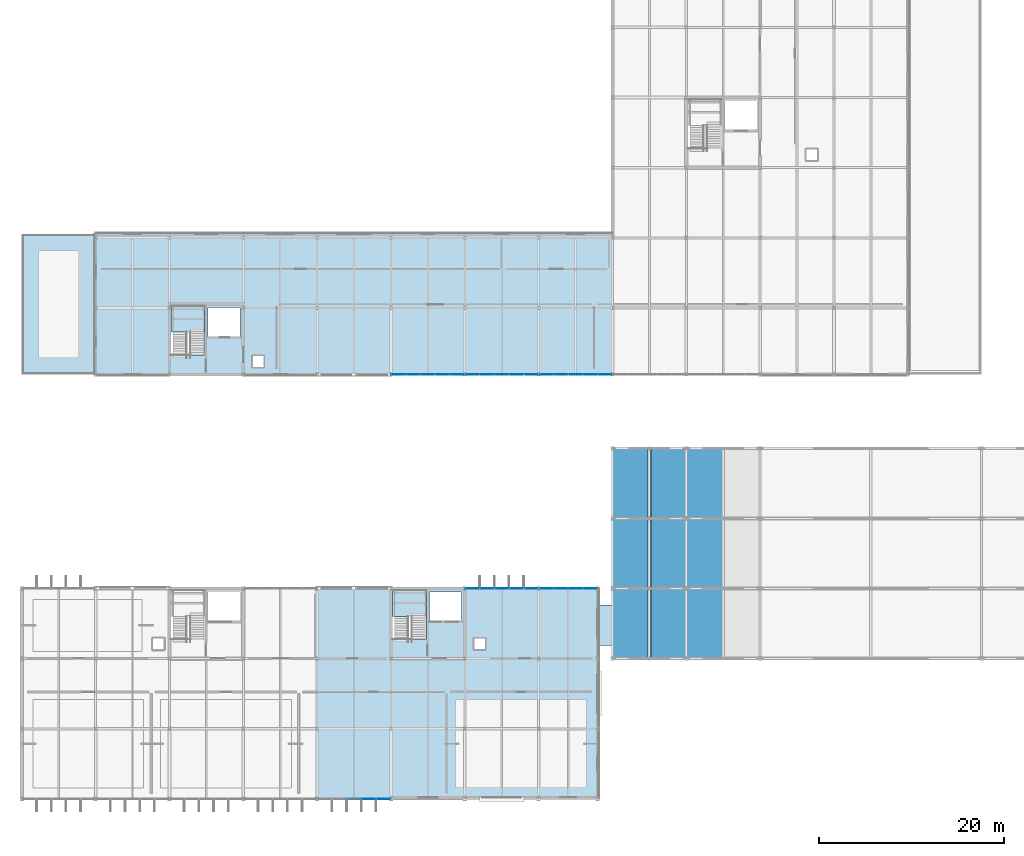
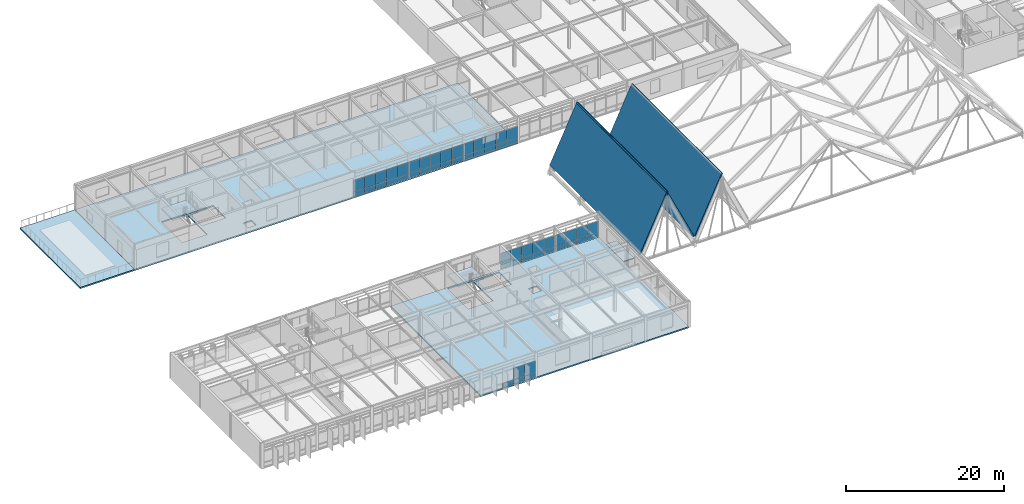
# One storey, part 61 of 85: 53 plates, 9 slabs, 9 elements without a shape of their own.
"""IFC4 building model written with IfcOpenShell, lengths in metres."""

from ifc_helpers import new_model, si_unit, direction, frame, origin, origin_2d, place, context, subcontext, project, spatial, polyline, rectangle, outline, extrude, material, layer, layer_set, type_object, element, aggregate, save


model = new_model("IFC4")

# Units and contexts
model_context = context("Model", 3, precision=1e-05, world=origin(), true_north=direction((0.0, 1.0)))
body_context = subcontext(model_context, "Body", "Model", "MODEL_VIEW")
ifc_project = project(units=[si_unit("LENGTHUNIT", "METRE"), si_unit("AREAUNIT", "SQUARE_METRE"), si_unit("VOLUMEUNIT", "CUBIC_METRE"), si_unit("PLANEANGLEUNIT", "RADIAN"), si_unit("MASSUNIT", "GRAM", prefix="KILO")], contexts=[model_context])

# Site, building, storey
site_placement = place(None, origin())
site = spatial("IfcSite", under=ifc_project, at=site_placement, CompositionType="ELEMENT")
building_placement = place(site_placement, origin())
building = spatial("IfcBuilding", under=site, at=building_placement, Name="Zulena Civic Courthouse", CompositionType="ELEMENT")
storey_placement = place(building_placement, frame((0.0, 0.0, 25.199951171875)))
storey = spatial("IfcBuildingStorey", under=building, at=storey_placement, Name="L05", CompositionType="ELEMENT", Elevation=25.199951171875)

# Slab
ifc_material_1 = material(Name="Concrete C35/45", Category="concrete")
ifc_layer_1 = layer(ifc_material_1, 0.169921875)
ifc_layer_set_1 = layer_set([ifc_layer_1], Name="Concrete C35/45")
slab_type_1 = type_object("IfcSlabType", Name="BridgeRoofSlab_170", PredefinedType="ROOF", material=ifc_layer_set_1)
slab_1_placement = place(storey_placement, frame((0.0, 0.0, -0.169921875)))
element("IfcSlab", 1, at=slab_1_placement, inside=storey, type_object=slab_type_1, Name="slab:bridgeroof:BR-24", PredefinedType="ROOF", context=body_context, shape_type="SweptSolid", body=[
    extrude(outline(polyline([(66.39990234375, 16.60009765625), (68.0, 16.60009765625), (68.0, 21.0), (66.39990234375, 21.0), (66.39990234375, 16.60009765625)])), origin(), (0.0, 0.0, 1.0), 0.169921875),
])

# Curtain wall, plates
ifc_material_2 = material(Name="Double-silver low-E laminated solar-control glass", Category="glass")
curtain_wall_type_1 = type_object("IfcCurtainWallType", Name="CW_7964x3090", PredefinedType="USERDEFINED", material=ifc_material_2)
curtain_wall_1_placement = place(storey_placement, origin())
curtain_wall_1 = element("IfcCurtainWall", 2, at=curtain_wall_1_placement, inside=storey, type_object=curtain_wall_type_1, Name="cw:V2:L05:1:6", ObjectType="UNITISED CURTAIN WALL", PredefinedType="USERDEFINED")
ifc_material_3 = material(Name="Ceramic-fritted insulated spandrel glass", Category="glass")
ifc_layer_2 = layer(ifc_material_3, 0.0458984375)
ifc_layer_set_2 = layer_set([ifc_layer_2], Name="Ceramic-fritted insulated spandrel glass")
plate_type_1 = type_object("IfcPlateType", Name="CWPanel_Spandrel_46", PredefinedType="CURTAIN_PANEL", material=ifc_layer_set_2)
plate_1_placement = place(storey_placement, frame((52.814453125, 22.800048828125, 0.070068359375), z_axis=(0.0, 0.0, 1.0), x_axis=(1.0, 0.0, 0.0)))
plate_1 = element("IfcPlate", 3, at=plate_1_placement, type_object=plate_type_1, Name="cw:V2:L05:1:6:panS:0", PredefinedType="CURTAIN_PANEL", context=body_context, shape_type="SweptSolid", body=[
    extrude(rectangle(XDim=1.54296875, YDim=0.0458984375, at=origin_2d()), origin(), (0.0, 0.0, 1.0), 0.669921875),
])
plate_2_placement = place(storey_placement, frame((54.4072265625, 22.800048828125, 0.070068359375), z_axis=(0.0, 0.0, 1.0), x_axis=(1.0, 0.0, 0.0)))
plate_2 = element("IfcPlate", 4, at=plate_2_placement, type_object=plate_type_1, Name="cw:V2:L05:1:6:panS:1", PredefinedType="CURTAIN_PANEL", context=body_context, shape_type="SweptSolid", body=[
    extrude(rectangle(XDim=1.54296875, YDim=0.0458984375, at=origin_2d()), origin(), (0.0, 0.0, 1.0), 0.669921875),
])
plate_3_placement = place(storey_placement, frame((56.0, 22.800048828125, 0.070068359375), z_axis=(0.0, 0.0, 1.0), x_axis=(1.0, 0.0, 0.0)))
plate_3 = element("IfcPlate", 5, at=plate_3_placement, type_object=plate_type_1, Name="cw:V2:L05:1:6:panS:2", PredefinedType="CURTAIN_PANEL", context=body_context, shape_type="SweptSolid", body=[
    extrude(rectangle(XDim=1.54296875, YDim=0.0458984375, at=origin_2d()), origin(), (0.0, 0.0, 1.0), 0.669921875),
])
plate_4_placement = place(storey_placement, frame((57.5927734375, 22.800048828125, 0.070068359375), z_axis=(0.0, 0.0, 1.0), x_axis=(1.0, 0.0, 0.0)))
plate_4 = element("IfcPlate", 6, at=plate_4_placement, type_object=plate_type_1, Name="cw:V2:L05:1:6:panS:3", PredefinedType="CURTAIN_PANEL", context=body_context, shape_type="SweptSolid", body=[
    extrude(rectangle(XDim=1.54296875, YDim=0.0458984375, at=origin_2d()), origin(), (0.0, 0.0, 1.0), 0.669921875),
])
plate_5_placement = place(storey_placement, frame((59.185546875, 22.800048828125, 0.070068359375), z_axis=(0.0, 0.0, 1.0), x_axis=(1.0, 0.0, 0.0)))
plate_5 = element("IfcPlate", 7, at=plate_5_placement, type_object=plate_type_1, Name="cw:V2:L05:1:6:panS:4", PredefinedType="CURTAIN_PANEL", context=body_context, shape_type="SweptSolid", body=[
    extrude(rectangle(XDim=1.54296875, YDim=0.0458984375, at=origin_2d()), origin(), (0.0, 0.0, 1.0), 0.669921875),
])

curtain_wall_type_2 = type_object("IfcCurtainWallType", Name="CW_6364x3090", PredefinedType="USERDEFINED", material=ifc_material_2)
curtain_wall_2_placement = place(storey_placement, origin())
curtain_wall_2 = element("IfcCurtainWall", 8, at=curtain_wall_2_placement, inside=storey, type_object=curtain_wall_type_2, Name="cw:V2:L05:1:7", ObjectType="UNITISED CURTAIN WALL", PredefinedType="USERDEFINED")
plate_6_placement = place(storey_placement, frame((60.8134765625, 22.800048828125, 0.070068359375), z_axis=(0.0, 0.0, 1.0), x_axis=(1.0, 0.0, 0.0)))
plate_6 = element("IfcPlate", 9, at=plate_6_placement, type_object=plate_type_1, Name="cw:V2:L05:1:7:panS:0", PredefinedType="CURTAIN_PANEL", context=body_context, shape_type="SweptSolid", body=[
    extrude(rectangle(XDim=1.541015625, YDim=0.0458984375, at=origin_2d()), origin(), (0.0, 0.0, 1.0), 0.669921875),
])
plate_7_placement = place(storey_placement, frame((62.404541015625, 22.800048828125, 0.070068359375), z_axis=(0.0, 0.0, 1.0), x_axis=(1.0, 0.0, 0.0)))
plate_7 = element("IfcPlate", 10, at=plate_7_placement, type_object=plate_type_1, Name="cw:V2:L05:1:7:panS:1", PredefinedType="CURTAIN_PANEL", context=body_context, shape_type="SweptSolid", body=[
    extrude(rectangle(XDim=1.541015625, YDim=0.0458984375, at=origin_2d()), origin(), (0.0, 0.0, 1.0), 0.669921875),
])
plate_8_placement = place(storey_placement, frame((63.99560546875, 22.800048828125, 0.070068359375), z_axis=(0.0, 0.0, 1.0), x_axis=(1.0, 0.0, 0.0)))
plate_8 = element("IfcPlate", 11, at=plate_8_placement, type_object=plate_type_1, Name="cw:V2:L05:1:7:panS:2", PredefinedType="CURTAIN_PANEL", context=body_context, shape_type="SweptSolid", body=[
    extrude(rectangle(XDim=1.541015625, YDim=0.0458984375, at=origin_2d()), origin(), (0.0, 0.0, 1.0), 0.669921875),
])
plate_9_placement = place(storey_placement, frame((65.58642578125, 22.800048828125, 0.070068359375), z_axis=(0.0, 0.0, 1.0), x_axis=(1.0, 0.0, 0.0)))
plate_9 = element("IfcPlate", 12, at=plate_9_placement, type_object=plate_type_1, Name="cw:V2:L05:1:7:panS:3", PredefinedType="CURTAIN_PANEL", context=body_context, shape_type="SweptSolid", body=[
    extrude(rectangle(XDim=1.541015625, YDim=0.0458984375, at=origin_2d()), origin(), (0.0, 0.0, 1.0), 0.669921875),
])

curtain_wall_3_placement = place(storey_placement, origin())
curtain_wall_3 = element("IfcCurtainWall", 13, at=curtain_wall_3_placement, inside=storey, type_object=curtain_wall_type_1, Name="cw:V2:L05:3:3", ObjectType="UNITISED CURTAIN WALL", PredefinedType="USERDEFINED")
plate_10_placement = place(storey_placement, frame((43.185546875, 0.0, 0.070068359375), z_axis=(0.0, 0.0, 1.0), x_axis=(-1.0, 0.0, 0.0)))
plate_10 = element("IfcPlate", 14, at=plate_10_placement, type_object=plate_type_1, Name="cw:V2:L05:3:3:panS:0", PredefinedType="CURTAIN_PANEL", context=body_context, shape_type="SweptSolid", body=[
    extrude(rectangle(XDim=1.54296875, YDim=0.0458984375, at=origin_2d()), origin(), (0.0, 0.0, 1.0), 0.669921875),
])
plate_11_placement = place(storey_placement, frame((41.5927734375, 0.0, 0.070068359375), z_axis=(0.0, 0.0, 1.0), x_axis=(-1.0, 0.0, 0.0)))
plate_11 = element("IfcPlate", 15, at=plate_11_placement, type_object=plate_type_1, Name="cw:V2:L05:3:3:panS:1", PredefinedType="CURTAIN_PANEL", context=body_context, shape_type="SweptSolid", body=[
    extrude(rectangle(XDim=1.54296875, YDim=0.0458984375, at=origin_2d()), origin(), (0.0, 0.0, 1.0), 0.669921875),
])
plate_12_placement = place(storey_placement, frame((40.0, 0.0, 0.070068359375), z_axis=(0.0, 0.0, 1.0), x_axis=(-1.0, 0.0, 0.0)))
plate_12 = element("IfcPlate", 16, at=plate_12_placement, type_object=plate_type_1, Name="cw:V2:L05:3:3:panS:2", PredefinedType="CURTAIN_PANEL", context=body_context, shape_type="SweptSolid", body=[
    extrude(rectangle(XDim=1.54296875, YDim=0.0458984375, at=origin_2d()), origin(), (0.0, 0.0, 1.0), 0.669921875),
])

curtain_wall_4_placement = place(storey_placement, origin())
curtain_wall_4 = element("IfcCurtainWall", 17, at=curtain_wall_4_placement, inside=storey, type_object=curtain_wall_type_1, Name="cw:V5:L05:5:4", ObjectType="UNITISED CURTAIN WALL", PredefinedType="USERDEFINED")
plate_13_placement = place(storey_placement, frame((67.185546875, 46.0, 0.070068359375), z_axis=(0.0, 0.0, 1.0), x_axis=(-1.0, 0.0, 0.0)))
plate_13 = element("IfcPlate", 18, at=plate_13_placement, type_object=plate_type_1, Name="cw:V5:L05:5:4:panS:0", PredefinedType="CURTAIN_PANEL", context=body_context, shape_type="SweptSolid", body=[
    extrude(rectangle(XDim=1.54296875, YDim=0.0458984375, at=origin_2d()), origin(), (0.0, 0.0, 1.0), 0.669921875),
])
plate_14_placement = place(storey_placement, frame((65.5927734375, 46.0, 0.070068359375), z_axis=(0.0, 0.0, 1.0), x_axis=(-1.0, 0.0, 0.0)))
plate_14 = element("IfcPlate", 19, at=plate_14_placement, type_object=plate_type_1, Name="cw:V5:L05:5:4:panS:1", PredefinedType="CURTAIN_PANEL", context=body_context, shape_type="SweptSolid", body=[
    extrude(rectangle(XDim=1.54296875, YDim=0.0458984375, at=origin_2d()), origin(), (0.0, 0.0, 1.0), 0.669921875),
])
plate_15_placement = place(storey_placement, frame((64.0, 46.0, 0.070068359375), z_axis=(0.0, 0.0, 1.0), x_axis=(-1.0, 0.0, 0.0)))
plate_15 = element("IfcPlate", 20, at=plate_15_placement, type_object=plate_type_1, Name="cw:V5:L05:5:4:panS:2", PredefinedType="CURTAIN_PANEL", context=body_context, shape_type="SweptSolid", body=[
    extrude(rectangle(XDim=1.54296875, YDim=0.0458984375, at=origin_2d()), origin(), (0.0, 0.0, 1.0), 0.669921875),
])
plate_16_placement = place(storey_placement, frame((62.4072265625, 46.0, 0.070068359375), z_axis=(0.0, 0.0, 1.0), x_axis=(-1.0, 0.0, 0.0)))
plate_16 = element("IfcPlate", 21, at=plate_16_placement, type_object=plate_type_1, Name="cw:V5:L05:5:4:panS:3", PredefinedType="CURTAIN_PANEL", context=body_context, shape_type="SweptSolid", body=[
    extrude(rectangle(XDim=1.54296875, YDim=0.0458984375, at=origin_2d()), origin(), (0.0, 0.0, 1.0), 0.669921875),
])
plate_17_placement = place(storey_placement, frame((60.814453125, 46.0, 0.070068359375), z_axis=(0.0, 0.0, 1.0), x_axis=(-1.0, 0.0, 0.0)))
plate_17 = element("IfcPlate", 22, at=plate_17_placement, type_object=plate_type_1, Name="cw:V5:L05:5:4:panS:4", PredefinedType="CURTAIN_PANEL", context=body_context, shape_type="SweptSolid", body=[
    extrude(rectangle(XDim=1.54296875, YDim=0.0458984375, at=origin_2d()), origin(), (0.0, 0.0, 1.0), 0.669921875),
])

curtain_wall_5_placement = place(storey_placement, origin())
curtain_wall_5 = element("IfcCurtainWall", 23, at=curtain_wall_5_placement, inside=storey, type_object=curtain_wall_type_1, Name="cw:V5:L05:5:5", ObjectType="UNITISED CURTAIN WALL", PredefinedType="USERDEFINED")
plate_18_placement = place(storey_placement, frame((59.185546875, 46.0, 0.070068359375), z_axis=(0.0, 0.0, 1.0), x_axis=(-1.0, 0.0, 0.0)))
plate_18 = element("IfcPlate", 24, at=plate_18_placement, type_object=plate_type_1, Name="cw:V5:L05:5:5:panS:0", PredefinedType="CURTAIN_PANEL", context=body_context, shape_type="SweptSolid", body=[
    extrude(rectangle(XDim=1.54296875, YDim=0.0458984375, at=origin_2d()), origin(), (0.0, 0.0, 1.0), 0.669921875),
])
plate_19_placement = place(storey_placement, frame((57.5927734375, 46.0, 0.070068359375), z_axis=(0.0, 0.0, 1.0), x_axis=(-1.0, 0.0, 0.0)))
plate_19 = element("IfcPlate", 25, at=plate_19_placement, type_object=plate_type_1, Name="cw:V5:L05:5:5:panS:1", PredefinedType="CURTAIN_PANEL", context=body_context, shape_type="SweptSolid", body=[
    extrude(rectangle(XDim=1.54296875, YDim=0.0458984375, at=origin_2d()), origin(), (0.0, 0.0, 1.0), 0.669921875),
])
plate_20_placement = place(storey_placement, frame((56.0, 46.0, 0.070068359375), z_axis=(0.0, 0.0, 1.0), x_axis=(-1.0, 0.0, 0.0)))
plate_20 = element("IfcPlate", 26, at=plate_20_placement, type_object=plate_type_1, Name="cw:V5:L05:5:5:panS:2", PredefinedType="CURTAIN_PANEL", context=body_context, shape_type="SweptSolid", body=[
    extrude(rectangle(XDim=1.54296875, YDim=0.0458984375, at=origin_2d()), origin(), (0.0, 0.0, 1.0), 0.669921875),
])
plate_21_placement = place(storey_placement, frame((54.4072265625, 46.0, 0.070068359375), z_axis=(0.0, 0.0, 1.0), x_axis=(-1.0, 0.0, 0.0)))
plate_21 = element("IfcPlate", 27, at=plate_21_placement, type_object=plate_type_1, Name="cw:V5:L05:5:5:panS:3", PredefinedType="CURTAIN_PANEL", context=body_context, shape_type="SweptSolid", body=[
    extrude(rectangle(XDim=1.54296875, YDim=0.0458984375, at=origin_2d()), origin(), (0.0, 0.0, 1.0), 0.669921875),
])
plate_22_placement = place(storey_placement, frame((52.814453125, 46.0, 0.070068359375), z_axis=(0.0, 0.0, 1.0), x_axis=(-1.0, 0.0, 0.0)))
plate_22 = element("IfcPlate", 28, at=plate_22_placement, type_object=plate_type_1, Name="cw:V5:L05:5:5:panS:4", PredefinedType="CURTAIN_PANEL", context=body_context, shape_type="SweptSolid", body=[
    extrude(rectangle(XDim=1.54296875, YDim=0.0458984375, at=origin_2d()), origin(), (0.0, 0.0, 1.0), 0.669921875),
])

curtain_wall_6_placement = place(storey_placement, origin())
curtain_wall_6 = element("IfcCurtainWall", 29, at=curtain_wall_6_placement, inside=storey, type_object=curtain_wall_type_1, Name="cw:V5:L05:5:6", ObjectType="UNITISED CURTAIN WALL", PredefinedType="USERDEFINED")
plate_23_placement = place(storey_placement, frame((51.185546875, 46.0, 0.070068359375), z_axis=(0.0, 0.0, 1.0), x_axis=(-1.0, 0.0, 0.0)))
plate_23 = element("IfcPlate", 30, at=plate_23_placement, type_object=plate_type_1, Name="cw:V5:L05:5:6:panS:0", PredefinedType="CURTAIN_PANEL", context=body_context, shape_type="SweptSolid", body=[
    extrude(rectangle(XDim=1.54296875, YDim=0.0458984375, at=origin_2d()), origin(), (0.0, 0.0, 1.0), 0.669921875),
])
plate_24_placement = place(storey_placement, frame((49.5927734375, 46.0, 0.070068359375), z_axis=(0.0, 0.0, 1.0), x_axis=(-1.0, 0.0, 0.0)))
plate_24 = element("IfcPlate", 31, at=plate_24_placement, type_object=plate_type_1, Name="cw:V5:L05:5:6:panS:1", PredefinedType="CURTAIN_PANEL", context=body_context, shape_type="SweptSolid", body=[
    extrude(rectangle(XDim=1.54296875, YDim=0.0458984375, at=origin_2d()), origin(), (0.0, 0.0, 1.0), 0.669921875),
])
plate_25_placement = place(storey_placement, frame((48.0, 46.0, 0.070068359375), z_axis=(0.0, 0.0, 1.0), x_axis=(-1.0, 0.0, 0.0)))
plate_25 = element("IfcPlate", 32, at=plate_25_placement, type_object=plate_type_1, Name="cw:V5:L05:5:6:panS:2", PredefinedType="CURTAIN_PANEL", context=body_context, shape_type="SweptSolid", body=[
    extrude(rectangle(XDim=1.54296875, YDim=0.0458984375, at=origin_2d()), origin(), (0.0, 0.0, 1.0), 0.669921875),
])
plate_26_placement = place(storey_placement, frame((46.4072265625, 46.0, 0.070068359375), z_axis=(0.0, 0.0, 1.0), x_axis=(-1.0, 0.0, 0.0)))
plate_26 = element("IfcPlate", 33, at=plate_26_placement, type_object=plate_type_1, Name="cw:V5:L05:5:6:panS:3", PredefinedType="CURTAIN_PANEL", context=body_context, shape_type="SweptSolid", body=[
    extrude(rectangle(XDim=1.54296875, YDim=0.0458984375, at=origin_2d()), origin(), (0.0, 0.0, 1.0), 0.669921875),
])
plate_27_placement = place(storey_placement, frame((44.814453125, 46.0, 0.070068359375), z_axis=(0.0, 0.0, 1.0), x_axis=(-1.0, 0.0, 0.0)))
plate_27 = element("IfcPlate", 34, at=plate_27_placement, type_object=plate_type_1, Name="cw:V5:L05:5:6:panS:4", PredefinedType="CURTAIN_PANEL", context=body_context, shape_type="SweptSolid", body=[
    extrude(rectangle(XDim=1.54296875, YDim=0.0458984375, at=origin_2d()), origin(), (0.0, 0.0, 1.0), 0.669921875),
])

# Plate
ifc_layer_3 = layer(ifc_material_2, 0.035888671875)
ifc_layer_set_3 = layer_set([ifc_layer_3], Name="Double-silver low-E laminated solar-control glass")
plate_type_2 = type_object("IfcPlateType", Name="CWPanel_Vision_36", PredefinedType="CURTAIN_PANEL", material=ifc_layer_set_3)
plate_28_placement = place(storey_placement, frame((52.814453125, 22.800048828125, 0.760009765625), z_axis=(0.0, 0.0, 1.0), x_axis=(1.0, 0.0, 0.0)))
plate_28 = element("IfcPlate", 35, at=plate_28_placement, type_object=plate_type_2, Name="cw:V2:L05:1:6:panV:0", PredefinedType="CURTAIN_PANEL", context=body_context, shape_type="SweptSolid", body=[
    extrude(rectangle(XDim=1.54296875, YDim=0.035888671875, at=origin_2d()), origin(), (0.0, 0.0, 1.0), 1.77001953125),
])

plate_29_placement = place(storey_placement, frame((54.4072265625, 22.800048828125, 0.760009765625), z_axis=(0.0, 0.0, 1.0), x_axis=(1.0, 0.0, 0.0)))
plate_29 = element("IfcPlate", 36, at=plate_29_placement, type_object=plate_type_2, Name="cw:V2:L05:1:6:panV:1", PredefinedType="CURTAIN_PANEL", context=body_context, shape_type="SweptSolid", body=[
    extrude(rectangle(XDim=1.54296875, YDim=0.035888671875, at=origin_2d()), origin(), (0.0, 0.0, 1.0), 1.77001953125),
])

plate_30_placement = place(storey_placement, frame((56.0, 22.800048828125, 0.760009765625), z_axis=(0.0, 0.0, 1.0), x_axis=(1.0, 0.0, 0.0)))
plate_30 = element("IfcPlate", 37, at=plate_30_placement, type_object=plate_type_2, Name="cw:V2:L05:1:6:panV:2", PredefinedType="CURTAIN_PANEL", context=body_context, shape_type="SweptSolid", body=[
    extrude(rectangle(XDim=1.54296875, YDim=0.035888671875, at=origin_2d()), origin(), (0.0, 0.0, 1.0), 1.77001953125),
])

plate_31_placement = place(storey_placement, frame((57.5927734375, 22.800048828125, 0.760009765625), z_axis=(0.0, 0.0, 1.0), x_axis=(1.0, 0.0, 0.0)))
plate_31 = element("IfcPlate", 38, at=plate_31_placement, type_object=plate_type_2, Name="cw:V2:L05:1:6:panV:3", PredefinedType="CURTAIN_PANEL", context=body_context, shape_type="SweptSolid", body=[
    extrude(rectangle(XDim=1.54296875, YDim=0.035888671875, at=origin_2d()), origin(), (0.0, 0.0, 1.0), 1.77001953125),
])

plate_32_placement = place(storey_placement, frame((59.185546875, 22.800048828125, 0.760009765625), z_axis=(0.0, 0.0, 1.0), x_axis=(1.0, 0.0, 0.0)))
plate_32 = element("IfcPlate", 39, at=plate_32_placement, type_object=plate_type_2, Name="cw:V2:L05:1:6:panV:4", PredefinedType="CURTAIN_PANEL", context=body_context, shape_type="SweptSolid", body=[
    extrude(rectangle(XDim=1.54296875, YDim=0.035888671875, at=origin_2d()), origin(), (0.0, 0.0, 1.0), 1.77001953125),
])

aggregate(curtain_wall_1, [plate_28, plate_1, plate_29, plate_2, plate_30, plate_3, plate_31, plate_4, plate_32, plate_5])

plate_33_placement = place(storey_placement, frame((60.8134765625, 22.800048828125, 0.760009765625), z_axis=(0.0, 0.0, 1.0), x_axis=(1.0, 0.0, 0.0)))
plate_33 = element("IfcPlate", 40, at=plate_33_placement, type_object=plate_type_2, Name="cw:V2:L05:1:7:panV:0", PredefinedType="CURTAIN_PANEL", context=body_context, shape_type="SweptSolid", body=[
    extrude(rectangle(XDim=1.541015625, YDim=0.035888671875, at=origin_2d()), origin(), (0.0, 0.0, 1.0), 1.77001953125),
])

plate_34_placement = place(storey_placement, frame((62.404541015625, 22.800048828125, 0.760009765625), z_axis=(0.0, 0.0, 1.0), x_axis=(1.0, 0.0, 0.0)))
plate_34 = element("IfcPlate", 41, at=plate_34_placement, type_object=plate_type_2, Name="cw:V2:L05:1:7:panV:1", PredefinedType="CURTAIN_PANEL", context=body_context, shape_type="SweptSolid", body=[
    extrude(rectangle(XDim=1.541015625, YDim=0.035888671875, at=origin_2d()), origin(), (0.0, 0.0, 1.0), 1.77001953125),
])

plate_35_placement = place(storey_placement, frame((63.99560546875, 22.800048828125, 0.760009765625), z_axis=(0.0, 0.0, 1.0), x_axis=(1.0, 0.0, 0.0)))
plate_35 = element("IfcPlate", 42, at=plate_35_placement, type_object=plate_type_2, Name="cw:V2:L05:1:7:panV:2", PredefinedType="CURTAIN_PANEL", context=body_context, shape_type="SweptSolid", body=[
    extrude(rectangle(XDim=1.541015625, YDim=0.035888671875, at=origin_2d()), origin(), (0.0, 0.0, 1.0), 1.77001953125),
])

plate_36_placement = place(storey_placement, frame((65.58642578125, 22.800048828125, 0.760009765625), z_axis=(0.0, 0.0, 1.0), x_axis=(1.0, 0.0, 0.0)))
plate_36 = element("IfcPlate", 43, at=plate_36_placement, type_object=plate_type_2, Name="cw:V2:L05:1:7:panV:3", PredefinedType="CURTAIN_PANEL", context=body_context, shape_type="SweptSolid", body=[
    extrude(rectangle(XDim=1.541015625, YDim=0.035888671875, at=origin_2d()), origin(), (0.0, 0.0, 1.0), 1.77001953125),
])

aggregate(curtain_wall_2, [plate_33, plate_6, plate_34, plate_7, plate_35, plate_8, plate_36, plate_9])

plate_37_placement = place(storey_placement, frame((43.185546875, 0.0, 0.760009765625), z_axis=(0.0, 0.0, 1.0), x_axis=(-1.0, 0.0, 0.0)))
plate_37 = element("IfcPlate", 44, at=plate_37_placement, type_object=plate_type_2, Name="cw:V2:L05:3:3:panV:0", PredefinedType="CURTAIN_PANEL", context=body_context, shape_type="SweptSolid", body=[
    extrude(rectangle(XDim=1.54296875, YDim=0.035888671875, at=origin_2d()), origin(), (0.0, 0.0, 1.0), 1.77001953125),
])

plate_38_placement = place(storey_placement, frame((41.5927734375, 0.0, 0.760009765625), z_axis=(0.0, 0.0, 1.0), x_axis=(-1.0, 0.0, 0.0)))
plate_38 = element("IfcPlate", 45, at=plate_38_placement, type_object=plate_type_2, Name="cw:V2:L05:3:3:panV:1", PredefinedType="CURTAIN_PANEL", context=body_context, shape_type="SweptSolid", body=[
    extrude(rectangle(XDim=1.54296875, YDim=0.035888671875, at=origin_2d()), origin(), (0.0, 0.0, 1.0), 1.77001953125),
])

aggregate(curtain_wall_3, [plate_37, plate_10, plate_38, plate_11, plate_12])

plate_39_placement = place(storey_placement, frame((67.185546875, 46.0, 0.760009765625), z_axis=(0.0, 0.0, 1.0), x_axis=(-1.0, 0.0, 0.0)))
plate_39 = element("IfcPlate", 46, at=plate_39_placement, type_object=plate_type_2, Name="cw:V5:L05:5:4:panV:0", PredefinedType="CURTAIN_PANEL", context=body_context, shape_type="SweptSolid", body=[
    extrude(rectangle(XDim=1.54296875, YDim=0.035888671875, at=origin_2d()), origin(), (0.0, 0.0, 1.0), 1.77001953125),
])

plate_40_placement = place(storey_placement, frame((65.5927734375, 46.0, 0.760009765625), z_axis=(0.0, 0.0, 1.0), x_axis=(-1.0, 0.0, 0.0)))
plate_40 = element("IfcPlate", 47, at=plate_40_placement, type_object=plate_type_2, Name="cw:V5:L05:5:4:panV:1", PredefinedType="CURTAIN_PANEL", context=body_context, shape_type="SweptSolid", body=[
    extrude(rectangle(XDim=1.54296875, YDim=0.035888671875, at=origin_2d()), origin(), (0.0, 0.0, 1.0), 1.77001953125),
])

plate_41_placement = place(storey_placement, frame((64.0, 46.0, 0.760009765625), z_axis=(0.0, 0.0, 1.0), x_axis=(-1.0, 0.0, 0.0)))
plate_41 = element("IfcPlate", 48, at=plate_41_placement, type_object=plate_type_2, Name="cw:V5:L05:5:4:panV:2", PredefinedType="CURTAIN_PANEL", context=body_context, shape_type="SweptSolid", body=[
    extrude(rectangle(XDim=1.54296875, YDim=0.035888671875, at=origin_2d()), origin(), (0.0, 0.0, 1.0), 1.77001953125),
])

plate_42_placement = place(storey_placement, frame((62.4072265625, 46.0, 0.760009765625), z_axis=(0.0, 0.0, 1.0), x_axis=(-1.0, 0.0, 0.0)))
plate_42 = element("IfcPlate", 49, at=plate_42_placement, type_object=plate_type_2, Name="cw:V5:L05:5:4:panV:3", PredefinedType="CURTAIN_PANEL", context=body_context, shape_type="SweptSolid", body=[
    extrude(rectangle(XDim=1.54296875, YDim=0.035888671875, at=origin_2d()), origin(), (0.0, 0.0, 1.0), 1.77001953125),
])

plate_43_placement = place(storey_placement, frame((60.814453125, 46.0, 0.760009765625), z_axis=(0.0, 0.0, 1.0), x_axis=(-1.0, 0.0, 0.0)))
plate_43 = element("IfcPlate", 50, at=plate_43_placement, type_object=plate_type_2, Name="cw:V5:L05:5:4:panV:4", PredefinedType="CURTAIN_PANEL", context=body_context, shape_type="SweptSolid", body=[
    extrude(rectangle(XDim=1.54296875, YDim=0.035888671875, at=origin_2d()), origin(), (0.0, 0.0, 1.0), 1.77001953125),
])

aggregate(curtain_wall_4, [plate_39, plate_13, plate_40, plate_14, plate_41, plate_15, plate_42, plate_16, plate_43, plate_17])

plate_44_placement = place(storey_placement, frame((59.185546875, 46.0, 0.760009765625), z_axis=(0.0, 0.0, 1.0), x_axis=(-1.0, 0.0, 0.0)))
plate_44 = element("IfcPlate", 51, at=plate_44_placement, type_object=plate_type_2, Name="cw:V5:L05:5:5:panV:0", PredefinedType="CURTAIN_PANEL", context=body_context, shape_type="SweptSolid", body=[
    extrude(rectangle(XDim=1.54296875, YDim=0.035888671875, at=origin_2d()), origin(), (0.0, 0.0, 1.0), 1.77001953125),
])

plate_45_placement = place(storey_placement, frame((57.5927734375, 46.0, 0.760009765625), z_axis=(0.0, 0.0, 1.0), x_axis=(-1.0, 0.0, 0.0)))
plate_45 = element("IfcPlate", 52, at=plate_45_placement, type_object=plate_type_2, Name="cw:V5:L05:5:5:panV:1", PredefinedType="CURTAIN_PANEL", context=body_context, shape_type="SweptSolid", body=[
    extrude(rectangle(XDim=1.54296875, YDim=0.035888671875, at=origin_2d()), origin(), (0.0, 0.0, 1.0), 1.77001953125),
])

plate_46_placement = place(storey_placement, frame((56.0, 46.0, 0.760009765625), z_axis=(0.0, 0.0, 1.0), x_axis=(-1.0, 0.0, 0.0)))
plate_46 = element("IfcPlate", 53, at=plate_46_placement, type_object=plate_type_2, Name="cw:V5:L05:5:5:panV:2", PredefinedType="CURTAIN_PANEL", context=body_context, shape_type="SweptSolid", body=[
    extrude(rectangle(XDim=1.54296875, YDim=0.035888671875, at=origin_2d()), origin(), (0.0, 0.0, 1.0), 1.77001953125),
])

plate_47_placement = place(storey_placement, frame((54.4072265625, 46.0, 0.760009765625), z_axis=(0.0, 0.0, 1.0), x_axis=(-1.0, 0.0, 0.0)))
plate_47 = element("IfcPlate", 54, at=plate_47_placement, type_object=plate_type_2, Name="cw:V5:L05:5:5:panV:3", PredefinedType="CURTAIN_PANEL", context=body_context, shape_type="SweptSolid", body=[
    extrude(rectangle(XDim=1.54296875, YDim=0.035888671875, at=origin_2d()), origin(), (0.0, 0.0, 1.0), 1.77001953125),
])

plate_48_placement = place(storey_placement, frame((52.814453125, 46.0, 0.760009765625), z_axis=(0.0, 0.0, 1.0), x_axis=(-1.0, 0.0, 0.0)))
plate_48 = element("IfcPlate", 55, at=plate_48_placement, type_object=plate_type_2, Name="cw:V5:L05:5:5:panV:4", PredefinedType="CURTAIN_PANEL", context=body_context, shape_type="SweptSolid", body=[
    extrude(rectangle(XDim=1.54296875, YDim=0.035888671875, at=origin_2d()), origin(), (0.0, 0.0, 1.0), 1.77001953125),
])

aggregate(curtain_wall_5, [plate_44, plate_18, plate_45, plate_19, plate_46, plate_20, plate_47, plate_21, plate_48, plate_22])

plate_49_placement = place(storey_placement, frame((51.185546875, 46.0, 0.760009765625), z_axis=(0.0, 0.0, 1.0), x_axis=(-1.0, 0.0, 0.0)))
plate_49 = element("IfcPlate", 56, at=plate_49_placement, type_object=plate_type_2, Name="cw:V5:L05:5:6:panV:0", PredefinedType="CURTAIN_PANEL", context=body_context, shape_type="SweptSolid", body=[
    extrude(rectangle(XDim=1.54296875, YDim=0.035888671875, at=origin_2d()), origin(), (0.0, 0.0, 1.0), 1.77001953125),
])

plate_50_placement = place(storey_placement, frame((49.5927734375, 46.0, 0.760009765625), z_axis=(0.0, 0.0, 1.0), x_axis=(-1.0, 0.0, 0.0)))
plate_50 = element("IfcPlate", 57, at=plate_50_placement, type_object=plate_type_2, Name="cw:V5:L05:5:6:panV:1", PredefinedType="CURTAIN_PANEL", context=body_context, shape_type="SweptSolid", body=[
    extrude(rectangle(XDim=1.54296875, YDim=0.035888671875, at=origin_2d()), origin(), (0.0, 0.0, 1.0), 1.77001953125),
])

plate_51_placement = place(storey_placement, frame((48.0, 46.0, 0.760009765625), z_axis=(0.0, 0.0, 1.0), x_axis=(-1.0, 0.0, 0.0)))
plate_51 = element("IfcPlate", 58, at=plate_51_placement, type_object=plate_type_2, Name="cw:V5:L05:5:6:panV:2", PredefinedType="CURTAIN_PANEL", context=body_context, shape_type="SweptSolid", body=[
    extrude(rectangle(XDim=1.54296875, YDim=0.035888671875, at=origin_2d()), origin(), (0.0, 0.0, 1.0), 1.77001953125),
])

plate_52_placement = place(storey_placement, frame((46.4072265625, 46.0, 0.760009765625), z_axis=(0.0, 0.0, 1.0), x_axis=(-1.0, 0.0, 0.0)))
plate_52 = element("IfcPlate", 59, at=plate_52_placement, type_object=plate_type_2, Name="cw:V5:L05:5:6:panV:3", PredefinedType="CURTAIN_PANEL", context=body_context, shape_type="SweptSolid", body=[
    extrude(rectangle(XDim=1.54296875, YDim=0.035888671875, at=origin_2d()), origin(), (0.0, 0.0, 1.0), 1.77001953125),
])

plate_53_placement = place(storey_placement, frame((44.814453125, 46.0, 0.760009765625), z_axis=(0.0, 0.0, 1.0), x_axis=(-1.0, 0.0, 0.0)))
plate_53 = element("IfcPlate", 60, at=plate_53_placement, type_object=plate_type_2, Name="cw:V5:L05:5:6:panV:4", PredefinedType="CURTAIN_PANEL", context=body_context, shape_type="SweptSolid", body=[
    extrude(rectangle(XDim=1.54296875, YDim=0.035888671875, at=origin_2d()), origin(), (0.0, 0.0, 1.0), 1.77001953125),
])

aggregate(curtain_wall_6, [plate_49, plate_23, plate_50, plate_24, plate_51, plate_25, plate_52, plate_26, plate_53, plate_27])

# Slabs
ifc_layer_4 = layer(ifc_material_1, 0.205078125)
ifc_layer_set_4 = layer_set([ifc_layer_4], Name="Concrete C35/45")
slab_type_2 = type_object("IfcSlabType", Name="FloorSlab_205", PredefinedType="FLOOR", material=ifc_layer_set_4)
slab_2_placement = place(storey_placement, frame((0.0, 0.0, -0.204833984375)))
element("IfcSlab", 61, at=slab_2_placement, inside=storey, type_object=slab_type_2, Name="slab:V2:L05_2", PredefinedType="FLOOR", context=body_context, shape_type="SweptSolid", body=[
    extrude(outline(polyline([(66.39990234375, 0.0), (36.0, 0.0), (36.0, 22.800048828125), (66.39990234375, 22.800048828125), (66.39990234375, 0.0)]), holes=[polyline([(47.81005859375, 17.320068359375), (47.81005859375, 22.610107421875), (44.18994140625, 22.610107421875), (44.18994140625, 17.320068359375), (47.81005859375, 17.320068359375)]), polyline([(48.199951171875, 19.300048828125), (51.64990234375, 19.300048828125), (51.64990234375, 22.449951171875), (48.199951171875, 22.449951171875), (48.199951171875, 19.300048828125)]), polyline([(54.199951171875, 17.39990234375), (53.0, 17.39990234375), (53.0, 16.199951171875), (54.199951171875, 16.199951171875), (54.199951171875, 17.39990234375)])]), origin(), (0.0, 0.0, 1.0), 0.204833984375),
])
slab_3_placement = place(storey_placement, frame((0.0, 0.0, -0.204833984375)))
element("IfcSlab", 62, at=slab_3_placement, inside=storey, type_object=slab_type_2, Name="slab:V5:L05_1", PredefinedType="FLOOR", context=body_context, shape_type="SweptSolid", body=[
    extrude(outline(polyline([(12.0, 61.199951171875), (68.0, 61.199951171875), (68.0, 46.0), (12.0, 46.0), (12.0, 61.199951171875)]), holes=[polyline([(20.18994140625, 53.409912109375), (20.18994140625, 48.1201171875), (23.81005859375, 48.1201171875), (23.81005859375, 53.409912109375), (20.18994140625, 53.409912109375)]), polyline([(27.64990234375, 53.25), (24.199951171875, 53.25), (24.199951171875, 50.10009765625), (27.64990234375, 50.10009765625), (27.64990234375, 53.25)]), polyline([(29.0, 48.0), (29.0, 46.800048828125), (30.199951171875, 46.800048828125), (30.199951171875, 48.0), (29.0, 48.0)])]), origin(), (0.0, 0.0, 1.0), 0.204833984375),
])

# Roof, slabs
ifc_material_4 = material(Name="Insulated standing-seam zinc-aluminium roofing", Category="aluminium")
ifc_layer_5 = layer(ifc_material_4, 0.175048828125)
ifc_layer_set_5 = layer_set([ifc_layer_5], Name="Insulated standing-seam zinc-aluminium roofing")
roof_type = type_object("IfcRoofType", Name="FoldedPlateRoofAssembly", PredefinedType="USERDEFINED", material=ifc_layer_set_5)
roof_placement = place(storey_placement, origin())
roof = element("IfcRoof", 63, at=roof_placement, inside=storey, type_object=roof_type, Name="roof:V4:L05", ObjectType="FOLDED PLATE ROOF", PredefinedType="USERDEFINED")
ifc_layer_6 = layer(ifc_material_1, 0.175048828125)
ifc_layer_set_6 = layer_set([ifc_layer_6], Name="Concrete C35/45")
slab_type_3 = type_object("IfcSlabType", Name="FoldedRoofPlate_175", PredefinedType="ROOF", material=ifc_layer_set_6)
slab_4_placement = place(storey_placement, frame((68.0, 15.199951171875, 1.35009765625), z_axis=(-0.902858578607, 0.0, 0.429937654825), x_axis=(0.429937654825, 0.0, 0.902858578607)))
slab_4 = element("IfcSlab", 64, at=slab_4_placement, type_object=slab_type_3, Name="slab:folded:01W", PredefinedType="ROOF", context=body_context, shape_type="SweptSolid", body=[
    extrude(outline(polyline([(0.0, 0.0), (9.303674509812602, 0.0), (9.303674509812602, 22.800048828125), (0.0, 22.800048828125), (0.0, 0.0)])), origin(), (0.0, 0.0, -1.0), 0.175048828125),
])
slab_5_placement = place(storey_placement, frame((72.0, 15.199951171875, 9.75), z_axis=(0.902858578607, 0.0, 0.429937654825), x_axis=(0.429937654825, 0.0, -0.902858578607)))
slab_5 = element("IfcSlab", 65, at=slab_5_placement, type_object=slab_type_3, Name="slab:folded:01E", PredefinedType="ROOF", context=body_context, shape_type="SweptSolid", body=[
    extrude(outline(polyline([(0.0, 0.0), (9.303674509812602, 0.0), (9.303674509812602, 22.800048828125), (0.0, 22.800048828125), (0.0, 0.0)])), origin(), (0.0, 0.0, -1.0), 0.175048828125),
])
aggregate(roof, [slab_4, slab_5])

# Slab
slab_6_placement = place(storey_placement, frame((76.0, 15.199951171875, 1.35009765625), z_axis=(-0.902858578607, 0.0, 0.429937654825), x_axis=(0.429937654825, 0.0, 0.902858578607)))
element("IfcSlab", 66, at=slab_6_placement, inside=storey, type_object=slab_type_3, Name="slab:folded:02W", PredefinedType="ROOF", context=body_context, shape_type="SweptSolid", body=[
    extrude(outline(polyline([(0.0, 0.0), (9.303674509812602, 0.0), (9.303674509812602, 22.800048828125), (0.0, 22.800048828125), (0.0, 0.0)])), origin(), (0.0, 0.0, -1.0), 0.175048828125),
])

# Stair, slab
ifc_material_5 = material(Name="Precast concrete C40/50", Category="concrete")
stair_type = type_object("IfcStairType", Name="HalfTurnStair_4200", PredefinedType="HALF_TURN_STAIR", material=ifc_material_5)
stair_1_placement = place(storey_placement, origin())
stair_1 = element("IfcStair", 67, at=stair_1_placement, inside=storey, type_object=stair_type, Name="stair:K2B:L05", PredefinedType="HALF_TURN_STAIR")
ifc_layer_7 = layer(ifc_material_5, 0.280029296875)
ifc_layer_set_7 = layer_set([ifc_layer_7], Name="Precast concrete C40/50")
slab_type_4 = type_object("IfcSlabType", Name="StairLandingSlab_280", PredefinedType="LANDING", material=ifc_layer_set_7)
slab_7_placement = place(storey_placement, frame((0.0, 0.0, 1.820068359375)))
slab_7 = element("IfcSlab", 68, at=slab_7_placement, type_object=slab_type_4, Name="stair:K2B:L05:LND", PredefinedType="LANDING", context=body_context, shape_type="SweptSolid", body=[
    extrude(outline(polyline([(44.179931640625, 19.78466796875), (47.820068359375, 19.78466796875), (47.820068359375, 22.6201171875), (44.179931640625, 22.6201171875), (44.179931640625, 19.78466796875)])), origin(), (0.0, 0.0, 1.0), 0.280029296875),
])
aggregate(stair_1, [slab_7])

stair_2_placement = place(storey_placement, origin())
stair_2 = element("IfcStair", 69, at=stair_2_placement, inside=storey, type_object=stair_type, Name="stair:K5A:L05", PredefinedType="HALF_TURN_STAIR")
slab_8_placement = place(storey_placement, frame((0.0, 0.0, 1.820068359375)))
slab_8 = element("IfcSlab", 70, at=slab_8_placement, type_object=slab_type_4, Name="stair:K5A:L05:LND", PredefinedType="LANDING", context=body_context, shape_type="SweptSolid", body=[
    extrude(outline(polyline([(20.179931640625, 50.584716796875), (23.820068359375, 50.584716796875), (23.820068359375, 53.419921875), (20.179931640625, 53.419921875), (20.179931640625, 50.584716796875)])), origin(), (0.0, 0.0, 1.0), 0.280029296875),
])
aggregate(stair_2, [slab_8])

# Slab
ifc_layer_8 = layer(ifc_material_1, 0.2099609375)
ifc_layer_set_8 = layer_set([ifc_layer_8], Name="Concrete C35/45")
slab_type_5 = type_object("IfcSlabType", Name="TerraceSlab_210", PredefinedType="FLOOR", material=ifc_layer_set_8)
slab_9_placement = place(storey_placement, frame((0.0, 0.0, -0.2099609375)))
element("IfcSlab", 71, at=slab_9_placement, inside=storey, type_object=slab_type_5, Name="slab:terrace:TR-V5-L05", PredefinedType="FLOOR", context=body_context, shape_type="SweptSolid", body=[
    extrude(outline(polyline([(4.0, 46.0), (12.0, 46.0), (12.0, 61.199951171875), (4.0, 61.199951171875), (4.0, 46.0)])), origin(), (0.0, 0.0, 1.0), 0.2099609375),
])

save(model, "model.ifc")
